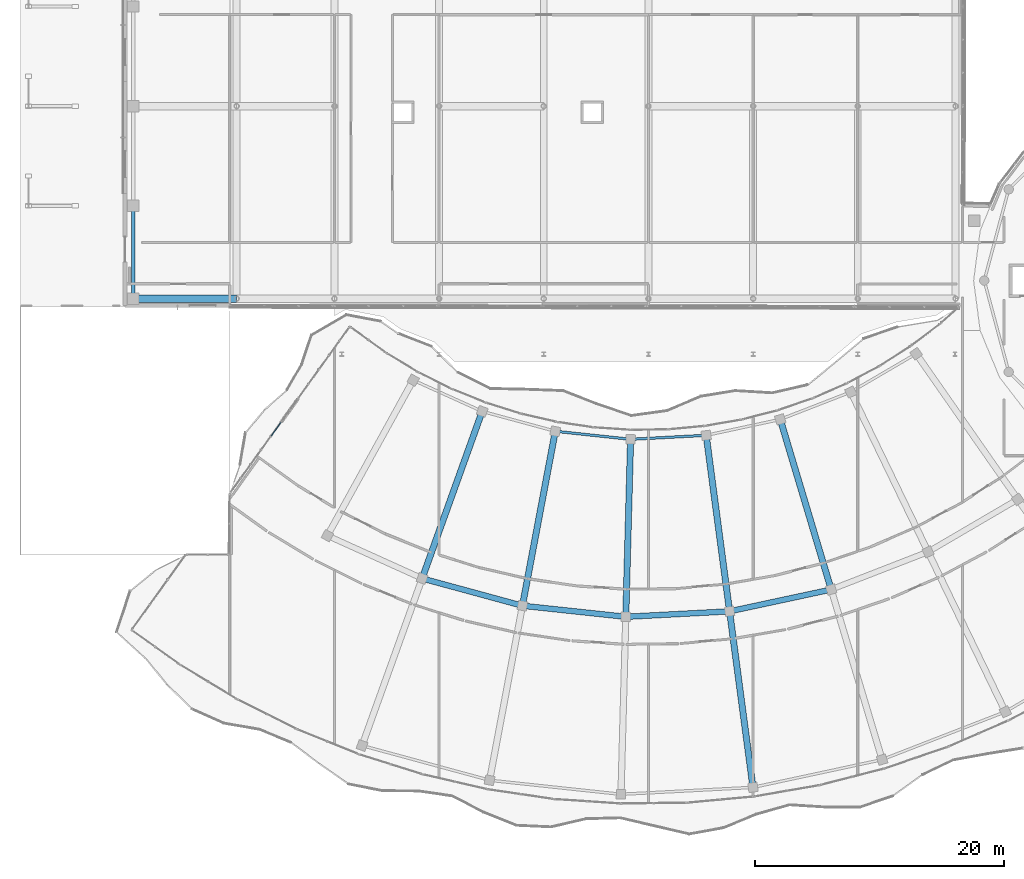
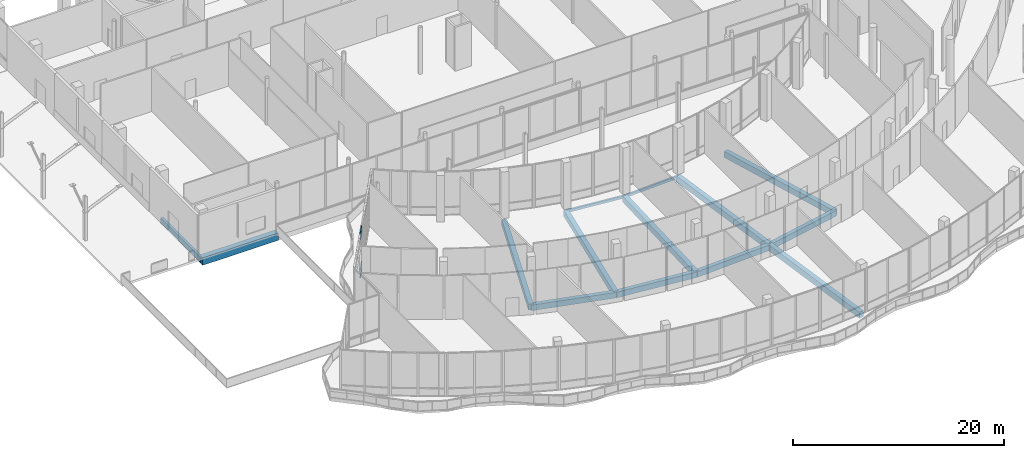
# One storey, part 29 of 158: 14 beams, 4 members, 1 element without a shape of its own.
"""IFC4 building model written with IfcOpenShell, lengths in metres."""

from ifc_helpers import new_model, si_unit, direction, frame, origin, origin_2d, place, context, subcontext, project, spatial, rectangle, hollow_rectangle, extrude, material, material_profile, profile_set, type_object, element, aggregate, save


model = new_model("IFC4")

# Units and contexts
model_context = context("Model", 3, precision=1e-05, world=origin(), true_north=direction((0.0, 1.0)))
body_context = subcontext(model_context, "Body", "Model", "MODEL_VIEW")
ifc_project = project(units=[si_unit("LENGTHUNIT", "METRE"), si_unit("AREAUNIT", "SQUARE_METRE"), si_unit("VOLUMEUNIT", "CUBIC_METRE"), si_unit("PLANEANGLEUNIT", "RADIAN"), si_unit("MASSUNIT", "GRAM", prefix="KILO")], contexts=[model_context])

# Site, building, storey
site_placement = place(None, origin())
site = spatial("IfcSite", under=ifc_project, at=site_placement, CompositionType="ELEMENT")
building_placement = place(site_placement, origin())
building = spatial("IfcBuilding", under=site, at=building_placement, Name="Selatvlak General Hospital", CompositionType="ELEMENT")
storey_placement = place(building_placement, origin())
storey = spatial("IfcBuildingStorey", under=building, at=storey_placement, Name="L00", CompositionType="ELEMENT", Elevation=0.0)

# Beams
ifc_material_1 = material(Name="Concrete C40/50", Category="concrete")
ifc_material_profile_1 = material_profile(ifc_material_1, rectangle(XDim=0.60009765625, YDim=0.85009765625, at=origin_2d()), Name="RC-BM 600x850")
ifc_profile_set_1 = profile_set([ifc_material_profile_1], Name="Concrete C40/50")
beam_type_1 = type_object("IfcBeamType", Name="BM-G01", PredefinedType="BEAM", material=ifc_profile_set_1)
beam_1_placement = place(storey_placement, frame((15.050048828125, 52.550048828125, -0.77490234375), z_axis=(1.0, 0.0, 0.0), x_axis=(0.0, 1.0, 0.0)))
element("IfcBeam", 1, at=beam_1_placement, inside=storey, type_object=beam_type_1, Name="Beam BMR-L00-0002", PredefinedType="BEAM", context=body_context, shape_type="SweptSolid", body=[
    extrude(rectangle(XDim=0.60009765625, YDim=0.85009765625, at=origin_2d()), origin(), (0.0, 0.0, 1.0), 8.300048828125),
])
ifc_material_profile_2 = material_profile(ifc_material_1, rectangle(XDim=0.5, YDim=0.699951171875, at=origin_2d()), Name="RC-BM 500x700")
ifc_profile_set_2 = profile_set([ifc_material_profile_2], Name="Concrete C40/50")
beam_type_2 = type_object("IfcBeamType", Name="BM-G03", PredefinedType="BEAM", material=ifc_profile_set_2)
beam_2_placement = place(storey_placement, frame((43.05908203125, 43.506103515625, -0.699951171875), z_axis=(-0.338248037823, -0.941056993443, 0.0), x_axis=(0.941056993443, -0.338248037823, 0.0)))
element("IfcBeam", 2, at=beam_2_placement, inside=storey, type_object=beam_type_2, Name="Beam BMR-L00-0337", PredefinedType="BEAM", context=body_context, shape_type="SweptSolid", body=[
    extrude(rectangle(XDim=0.5, YDim=0.699951171875, at=origin_2d()), origin(), (0.0, 0.0, 1.0), 14.25),
])
beam_3_placement = place(storey_placement, frame((48.924072265625, 41.909912109375, -0.699951171875), z_axis=(-0.184983631041, -0.982741601972, 0.0), x_axis=(0.982741601972, -0.184983631041, 0.0)))
element("IfcBeam", 3, at=beam_3_placement, inside=storey, type_object=beam_type_2, Name="Beam BMR-L00-0339", PredefinedType="BEAM", context=body_context, shape_type="SweptSolid", body=[
    extrude(rectangle(XDim=0.5, YDim=0.699951171875, at=origin_2d()), origin(), (0.0, 0.0, 1.0), 14.249755859375),
])
beam_4_placement = place(storey_placement, frame((54.968017578125, 41.262939453125, -0.699951171875), z_axis=(-0.027088422576, -0.999633041352, 0.0), x_axis=(0.999633041352, -0.027088422576, 0.0)))
element("IfcBeam", 4, at=beam_4_placement, inside=storey, type_object=beam_type_2, Name="Beam BMR-L00-0341", PredefinedType="BEAM", context=body_context, shape_type="SweptSolid", body=[
    extrude(rectangle(XDim=0.5, YDim=0.699951171875, at=origin_2d()), origin(), (0.0, 0.0, 1.0), 14.2490234375),
])
for number, where, z_axis, x_axis, name in (
    (5, (61.034912109375, 41.5830078125, -0.699951171875), (0.131731654767, -0.991285413558, 0.0), (0.991285413558, 0.131731654767, 0.0), "Beam BMR-L00-0343"),
    (6, (62.912109375, 27.45703125, -0.699951171875), (0.131714819532, -0.991287650642, 0.0), (0.991287650642, 0.131714819532, 0.0), "Beam BMR-L00-0344"),
):
    element("IfcBeam", number, at=place(storey_placement, frame(where, z_axis=z_axis, x_axis=x_axis)), inside=storey, type_object=beam_type_2, Name=name, PredefinedType="BEAM", context=body_context, shape_type="SweptSolid", body=[
        extrude(rectangle(XDim=0.5, YDim=0.699951171875, at=origin_2d()), origin(), (0.0, 0.0, 1.0), 14.250244140625),
    ])
beam_5_placement = place(storey_placement, frame((66.97900390625, 42.861083984375, -0.699951171875), z_axis=(0.286849619042, -0.957975623936, 0.0), x_axis=(0.957975623936, 0.286849619042, 0.0)))
element("IfcBeam", 7, at=beam_5_placement, inside=storey, type_object=beam_type_2, Name="Beam BMR-L00-0345", PredefinedType="BEAM", context=body_context, shape_type="SweptSolid", body=[
    extrude(rectangle(XDim=0.5, YDim=0.699951171875, at=origin_2d()), origin(), (0.0, 0.0, 1.0), 14.2509765625),
])
ifc_material_profile_3 = material_profile(ifc_material_1, rectangle(XDim=0.449951171875, YDim=0.64990234375, at=origin_2d()), Name="RC-BM 450x650")
ifc_profile_set_3 = profile_set([ifc_material_profile_3], Name="Concrete C40/50")
beam_type_3 = type_object("IfcBeamType", Name="BM-G04", PredefinedType="BEAM", material=ifc_profile_set_3)
beam_6_placement = place(storey_placement, frame((38.239013671875, 30.095947265625, -0.675048828125), z_axis=(0.964923713998, -0.262530429026, 0.0), x_axis=(0.262530429026, 0.964923713998, 0.0)))
element("IfcBeam", 8, at=beam_6_placement, inside=storey, type_object=beam_type_3, Name="Beam BMR-L00-0363", PredefinedType="BEAM", context=body_context, shape_type="SweptSolid", body=[
    extrude(rectangle(XDim=0.449951171875, YDim=0.64990234375, at=origin_2d()), origin(), (0.0, 0.0, 1.0), 8.341552734375),
])
beam_7_placement = place(storey_placement, frame((46.2880859375, 27.906005859375, -0.675048828125), z_axis=(0.994330393907, -0.10633469684, 0.0), x_axis=(0.10633469684, 0.994330393907, 0.0)))
element("IfcBeam", 9, at=beam_7_placement, inside=storey, type_object=beam_type_3, Name="Beam BMR-L00-0364", PredefinedType="BEAM", context=body_context, shape_type="SweptSolid", body=[
    extrude(rectangle(XDim=0.449951171875, YDim=0.64990234375, at=origin_2d()), origin(), (0.0, 0.0, 1.0), 8.34130859375),
])
beam_8_placement = place(storey_placement, frame((54.58203125, 27.01904296875, -0.675048828125), z_axis=(0.998620576885, 0.052506603603, 0.0), x_axis=(-0.052506603603, 0.998620576885, 0.0)))
element("IfcBeam", 10, at=beam_8_placement, inside=storey, type_object=beam_type_3, Name="Beam BMR-L00-0365", PredefinedType="BEAM", context=body_context, shape_type="SweptSolid", body=[
    extrude(rectangle(XDim=0.449951171875, YDim=0.64990234375, at=origin_2d()), origin(), (0.0, 0.0, 1.0), 8.341552734375),
])
beam_9_placement = place(storey_placement, frame((62.912109375, 27.45703125, -0.675048828125), z_axis=(0.977691764251, 0.210044790739, 0.0), x_axis=(-0.210044790739, 0.977691764251, 0.0)))
element("IfcBeam", 11, at=beam_9_placement, inside=storey, type_object=beam_type_3, Name="Beam BMR-L00-0366", PredefinedType="BEAM", context=body_context, shape_type="SweptSolid", body=[
    extrude(rectangle(XDim=0.449951171875, YDim=0.64990234375, at=origin_2d()), origin(), (0.0, 0.0, 1.0), 8.3408203125),
])
ifc_material_profile_4 = material_profile(ifc_material_1, rectangle(XDim=0.300048828125, YDim=0.64990234375, at=origin_2d()), Name="RC-SP 300x650")
ifc_profile_set_4 = profile_set([ifc_material_profile_4], Name="Concrete C40/50")
beam_type_4 = type_object("IfcBeamType", Name="BM-SP1", PredefinedType="SPANDREL", material=ifc_profile_set_4)
beam_10_placement = place(storey_placement, frame((15.050048828125, 52.550048828125, -0.675048828125), z_axis=(0.0, 1.0, 0.0), x_axis=(-1.0, 0.0, 0.0)))
element("IfcBeam", 12, at=beam_10_placement, inside=storey, type_object=beam_type_4, Name="Beam BMR-L00-0158", PredefinedType="SPANDREL", context=body_context, shape_type="SweptSolid", body=[
    extrude(rectangle(XDim=0.300048828125, YDim=0.64990234375, at=origin_2d()), origin(), (0.0, 0.0, 1.0), 7.449951171875),
])
ifc_material_2 = material(Name="Steel S355", Category="steel")
ifc_material_profile_5 = material_profile(ifc_material_2, hollow_rectangle(XDim=0.199951171875, YDim=0.300048828125, WallThickness=0.011962890625, at=origin_2d()), Name="RHS 300x200x12")
ifc_profile_set_5 = profile_set([ifc_material_profile_5], Name="Steel S355")
beam_type_5 = type_object("IfcBeamType", Name="BM-SP3", PredefinedType="SPANDREL", material=ifc_profile_set_5)
beam_11_placement = place(storey_placement, frame((48.924072265625, 41.909912109375, -0.5), z_axis=(0.994319481673, -0.106436687124, 0.0), x_axis=(0.106436687124, 0.994319481673, 0.0)))
element("IfcBeam", 13, at=beam_11_placement, inside=storey, type_object=beam_type_5, Name="Beam BMR-L00-0356", PredefinedType="SPANDREL", context=body_context, shape_type="SweptSolid", body=[
    extrude(hollow_rectangle(XDim=0.199951171875, YDim=0.300048828125, WallThickness=0.011962890625, at=origin_2d()), origin(), (0.0, 0.0, 1.0), 6.078369140625),
])
beam_12_placement = place(storey_placement, frame((54.968017578125, 41.262939453125, -0.5), z_axis=(0.998611271998, 0.052683274752, 0.0), x_axis=(-0.052683274752, 0.998611271998, 0.0)))
element("IfcBeam", 14, at=beam_12_placement, inside=storey, type_object=beam_type_5, Name="Beam BMR-L00-0357", PredefinedType="SPANDREL", context=body_context, shape_type="SweptSolid", body=[
    extrude(hollow_rectangle(XDim=0.199951171875, YDim=0.300048828125, WallThickness=0.011962890625, at=origin_2d()), origin(), (0.0, 0.0, 1.0), 6.075439453125),
])

# Curtain wall, members
ifc_material_3 = material(Name="Solar-control Low-E double glazing", Category="glass")
curtain_wall_type = type_object("IfcCurtainWallType", Name="CW-CW-01", PredefinedType="USERDEFINED", material=ifc_material_3)
curtain_wall_placement = place(storey_placement, origin())
curtain_wall = element("IfcCurtainWall", 15, at=curtain_wall_placement, inside=storey, type_object=curtain_wall_type, Name="Glazed facade curtain wall CW-L00-0067", ObjectType="UNITISED CURTAIN WALL", PredefinedType="USERDEFINED")
ifc_material_4 = material(Name="Dark anodised aluminium mullion", Category="aluminium")
ifc_material_profile_6 = material_profile(ifc_material_4, hollow_rectangle(XDim=0.06494140625, YDim=0.1201171875, WallThickness=0.00390625, at=origin_2d()), Name="AL-TRN 65x120x4")
ifc_profile_set_6 = profile_set([ifc_material_profile_6], Name="Dark anodised aluminium mullion")
member_type = type_object("IfcMemberType", Name="CWT-01", PredefinedType="USERDEFINED", material=ifc_profile_set_6)
member_1_placement = place(storey_placement, frame((26.136962890625, 41.54638671875, 0.032470703125), z_axis=(0.584009392292, 0.811746900034, 0.0), x_axis=(-0.811746900034, 0.584009392292, 0.0)))
member_1 = element("IfcMember", 16, at=member_1_placement, type_object=member_type, Name="CW-01 transom 5.1", ObjectType="TRANSOM", PredefinedType="USERDEFINED", context=body_context, shape_type="SweptSolid", body=[
    extrude(hollow_rectangle(XDim=0.06494140625, YDim=0.1201171875, WallThickness=0.00390625, at=origin_2d()), origin(), (0.0, 0.0, 1.0), 1.306884765625),
])
member_2_placement = place(storey_placement, frame((26.136962890625, 41.54638671875, 0.89990234375), z_axis=(0.584009392292, 0.811746900034, 0.0), x_axis=(-0.811746900034, 0.584009392292, 0.0)))
member_2 = element("IfcMember", 17, at=member_2_placement, type_object=member_type, Name="CW-01 transom 5.2", ObjectType="TRANSOM", PredefinedType="USERDEFINED", context=body_context, shape_type="SweptSolid", body=[
    extrude(hollow_rectangle(XDim=0.06494140625, YDim=0.1201171875, WallThickness=0.00390625, at=origin_2d()), origin(), (0.0, 0.0, 1.0), 1.306884765625),
])
member_3_placement = place(storey_placement, frame((26.136962890625, 41.54638671875, 4.429931640625), z_axis=(0.584009392292, 0.811746900034, 0.0), x_axis=(-0.811746900034, 0.584009392292, 0.0)))
member_3 = element("IfcMember", 18, at=member_3_placement, type_object=member_type, Name="CW-01 transom 5.3", ObjectType="TRANSOM", PredefinedType="USERDEFINED", context=body_context, shape_type="SweptSolid", body=[
    extrude(hollow_rectangle(XDim=0.06494140625, YDim=0.1201171875, WallThickness=0.00390625, at=origin_2d()), origin(), (0.0, 0.0, 1.0), 1.306884765625),
])
member_4_placement = place(storey_placement, frame((26.136962890625, 41.54638671875, 5.047607421875), z_axis=(0.584009392292, 0.811746900034, 0.0), x_axis=(-0.811746900034, 0.584009392292, 0.0)))
member_4 = element("IfcMember", 19, at=member_4_placement, type_object=member_type, Name="CW-01 transom 5.4", ObjectType="TRANSOM", PredefinedType="USERDEFINED", context=body_context, shape_type="SweptSolid", body=[
    extrude(hollow_rectangle(XDim=0.06494140625, YDim=0.1201171875, WallThickness=0.00390625, at=origin_2d()), origin(), (0.0, 0.0, 1.0), 1.306884765625),
])
aggregate(curtain_wall, [member_1, member_2, member_3, member_4])

save(model, "model.ifc")
